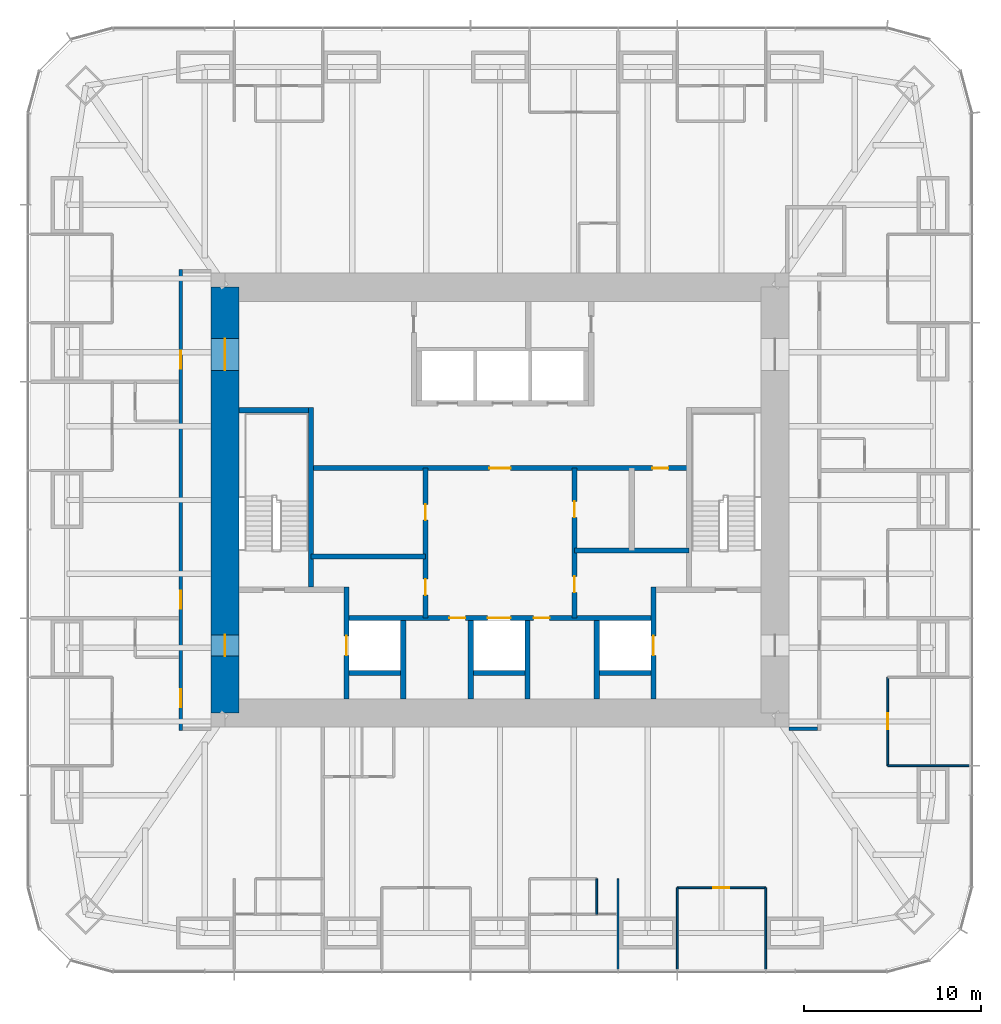
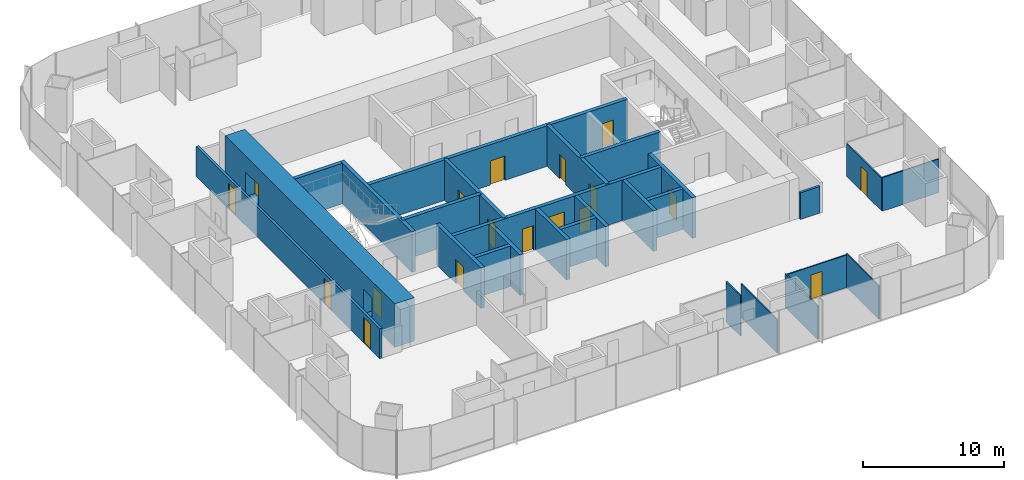
# One storey, part 9 of 12: 27 walls, 18 doors, 18 openings.
"""IFC4 building model written with IfcOpenShell, lengths in metres."""

from ifc_helpers import new_model, si_unit, direction, frame, frame_2d, origin, place, context, subcontext, project, spatial, rectangle, extrude, material, layer, layer_set, type_object, element, fill, save


model = new_model("IFC4")

# Units and contexts
model_context = context("Model", 3, precision=1e-05, world=origin(), true_north=direction((0.0, 1.0)))
body_context = subcontext(model_context, "Body", "Model", "MODEL_VIEW")
ifc_project = project(units=[si_unit("LENGTHUNIT", "METRE"), si_unit("AREAUNIT", "SQUARE_METRE"), si_unit("VOLUMEUNIT", "CUBIC_METRE"), si_unit("PLANEANGLEUNIT", "RADIAN"), si_unit("MASSUNIT", "GRAM", prefix="KILO")], contexts=[model_context])

# Site, building, storey
site_placement = place(None, origin())
site = spatial("IfcSite", under=ifc_project, at=site_placement, CompositionType="ELEMENT")
building_placement = place(site_placement, origin())
building = spatial("IfcBuilding", under=site, at=building_placement, Name="Khuree Lantern Residences", CompositionType="ELEMENT")
storey_placement = place(building_placement, frame((0.0, 0.0, 210.75)))
storey = spatial("IfcBuildingStorey", under=building, at=storey_placement, Name="L52", CompositionType="ELEMENT", Elevation=210.75)

# Wall, opening, door
ifc_material_1 = material(Name="Dense concrete blockwork", Category="masonry")
ifc_layer_1 = layer(ifc_material_1, 0.300048828125)
ifc_layer_set_1 = layer_set([ifc_layer_1], Name="CORE PARTITION WALL CPW300 EI 120")
wall_type_1 = type_object("IfcWallType", Name="CORE PARTITION WALL CPW300 EI 120", PredefinedType="PARTITIONING", material=ifc_layer_set_1)
wall_1_placement = place(storey_placement, frame((-8.64990234375, -11.199951171875, 0.0), z_axis=(0.0, 0.0, 1.0), x_axis=(0.0, 1.0, 0.0)))
wall_1 = element("IfcWall", 1, at=wall_1_placement, inside=storey, type_object=wall_type_1, Name="L52 CORE WALL FL1W", PredefinedType="PARTITIONING", context=body_context, shape_type="SweptSolid", body=[
    extrude(rectangle(XDim=6.300048828125, YDim=0.300048828125, at=frame_2d((3.14990234375, 0.0))), origin(), (0.0, 0.0, 1.0), 3.5),
])
opening_1_placement = place(wall_1_placement, frame((2.449951171875, 0.0, 0.0)))
opening_1 = element("IfcOpeningElement", 2, at=opening_1_placement, cuts=wall_1, Name="Opening 52-007", PredefinedType="OPENING", context=body_context, shape_type="SweptSolid", body=[
    extrude(rectangle(XDim=1.10009765625, YDim=2.10009765625, at=frame_2d((0.550048828125, 1.050048828125))), frame((0.0, 0.16015625, 0.0), z_axis=(0.0, -1.0, 0.0), x_axis=(1.0, 0.0, 0.0)), (0.0, 0.0, 1.0), 0.320068359375),
])
ifc_material_2 = material(Name="Stainless steel lift landing door", Category="steel")
door_type_1 = type_object("IfcDoorType", Name="LIFT LANDING DOOR 1100X2100 E 120", OperationType="DOUBLE_DOOR_SLIDING", PredefinedType="DOOR", material=ifc_material_2)
door_1_placement = place(opening_1_placement, origin())
door_1 = element("IfcDoor", 3, at=door_1_placement, inside=storey, type_object=door_type_1, Name="Landing door FL1 52-007", OperationType="DOUBLE_DOOR_SLIDING", OverallHeight=2.10009765625, OverallWidth=1.10009765625, PredefinedType="DOOR", context=body_context, shape_type="SweptSolid", body=[
    extrude(rectangle(XDim=1.10009765625, YDim=2.10009765625, at=frame_2d((0.550048828125, 1.050048828125))), frame((0.0, 0.02490234375, 0.0), z_axis=(0.0, -1.0, 0.0), x_axis=(1.0, 0.0, 0.0)), (0.0, 0.0, 1.0), 0.050048828125),
])
fill(opening_1, door_1)

wall_2_placement = place(storey_placement, frame((8.64990234375, -11.199951171875, 0.0), z_axis=(0.0, 0.0, 1.0), x_axis=(0.0, 1.0, 0.0)))
wall_2 = element("IfcWall", 4, at=wall_2_placement, inside=storey, type_object=wall_type_1, Name="L52 CORE WALL FL2E", PredefinedType="PARTITIONING", context=body_context, shape_type="SweptSolid", body=[
    extrude(rectangle(XDim=6.300048828125, YDim=0.300048828125, at=frame_2d((3.14990234375, 0.0))), origin(), (0.0, 0.0, 1.0), 3.5),
])
opening_2_placement = place(wall_2_placement, frame((2.449951171875, 0.0, 0.0)))
opening_2 = element("IfcOpeningElement", 5, at=opening_2_placement, cuts=wall_2, Name="Opening 52-008", PredefinedType="OPENING", context=body_context, shape_type="SweptSolid", body=[
    extrude(rectangle(XDim=1.10009765625, YDim=2.10009765625, at=frame_2d((0.550048828125, 1.050048828125))), frame((0.0, 0.16015625, 0.0), z_axis=(0.0, -1.0, 0.0), x_axis=(1.0, 0.0, 0.0)), (0.0, 0.0, 1.0), 0.320068359375),
])
door_2_placement = place(opening_2_placement, origin())
door_2 = element("IfcDoor", 6, at=door_2_placement, inside=storey, type_object=door_type_1, Name="Landing door FL2 52-008", OperationType="DOUBLE_DOOR_SLIDING", OverallHeight=2.10009765625, OverallWidth=1.10009765625, PredefinedType="DOOR", context=body_context, shape_type="SweptSolid", body=[
    extrude(rectangle(XDim=1.10009765625, YDim=2.10009765625, at=frame_2d((0.550048828125, 1.050048828125))), frame((0.0, 0.02490234375, 0.0), z_axis=(0.0, -1.0, 0.0), x_axis=(1.0, 0.0, 0.0)), (0.0, 0.0, 1.0), 0.050048828125),
])
fill(opening_2, door_2)

# Wall, openings, doors
wall_3_placement = place(storey_placement, frame((-8.5, -6.64990234375, 0.0), z_axis=(0.0, 0.0, 1.0), x_axis=(1.0, 0.0, 0.0)))
wall_3 = element("IfcWall", 7, at=wall_3_placement, inside=storey, type_object=wall_type_1, Name="L52 CORE WALL FLROW", PredefinedType="PARTITIONING", context=body_context, shape_type="SweptSolid", body=[
    extrude(rectangle(XDim=17.0, YDim=0.300048828125, at=frame_2d((8.5, 0.0))), origin(), (0.0, 0.0, 1.0), 3.5),
])
opening_3_placement = place(wall_3_placement, frame((7.800048828125, 0.0, 0.0)))
opening_3 = element("IfcOpeningElement", 8, at=opening_3_placement, cuts=wall_3, Name="Opening 52-012", PredefinedType="OPENING", context=body_context, shape_type="SweptSolid", body=[
    extrude(rectangle(XDim=1.300048828125, YDim=2.39990234375, at=frame_2d((0.64990234375, 1.199951171875))), frame((0.0, 0.16015625, 0.0), z_axis=(0.0, -1.0, 0.0), x_axis=(1.0, 0.0, 0.0)), (0.0, 0.0, 1.0), 0.320068359375),
])
opening_4_placement = place(wall_3_placement, frame((5.64990234375, 0.0, 0.0)))
opening_4 = element("IfcOpeningElement", 9, at=opening_4_placement, cuts=wall_3, Name="Opening 52-014", PredefinedType="OPENING", context=body_context, shape_type="SweptSolid", body=[
    extrude(rectangle(XDim=0.89990234375, YDim=2.10009765625, at=frame_2d((0.449951171875, 1.050048828125))), frame((0.0, 0.16015625, 0.0), z_axis=(0.0, -1.0, 0.0), x_axis=(1.0, 0.0, 0.0)), (0.0, 0.0, 1.0), 0.320068359375),
])
opening_5_placement = place(wall_3_placement, frame((10.39990234375, 0.0, 0.0)))
opening_5 = element("IfcOpeningElement", 10, at=opening_5_placement, cuts=wall_3, Name="Opening 52-015", PredefinedType="OPENING", context=body_context, shape_type="SweptSolid", body=[
    extrude(rectangle(XDim=0.89990234375, YDim=2.10009765625, at=frame_2d((0.449951171875, 1.050048828125))), frame((0.0, 0.16015625, 0.0), z_axis=(0.0, -1.0, 0.0), x_axis=(1.0, 0.0, 0.0)), (0.0, 0.0, 1.0), 0.320068359375),
])
ifc_material_3 = material(Name="Steel door leaf in steel frame", Category="steel")
door_type_2 = type_object("IfcDoorType", Name="DOOR 900X2100 EI 60", OperationType="SINGLE_SWING_LEFT", PredefinedType="DOOR", material=ifc_material_3)
door_3_placement = place(opening_4_placement, origin())
door_3 = element("IfcDoor", 11, at=door_3_placement, inside=storey, type_object=door_type_2, Name="Refuse chute room door 52-014", OperationType="SINGLE_SWING_LEFT", OverallHeight=2.10009765625, OverallWidth=0.89990234375, PredefinedType="DOOR", context=body_context, shape_type="SweptSolid", body=[
    extrude(rectangle(XDim=0.89990234375, YDim=2.10009765625, at=frame_2d((0.449951171875, 1.050048828125))), frame((0.0, 0.02490234375, 0.0), z_axis=(0.0, -1.0, 0.0), x_axis=(1.0, 0.0, 0.0)), (0.0, 0.0, 1.0), 0.050048828125),
])
fill(opening_4, door_3)
door_type_3 = type_object("IfcDoorType", Name="DOOR 900X2100 EI 60 RIGHT HAND", OperationType="SINGLE_SWING_RIGHT", PredefinedType="DOOR", material=ifc_material_3)
door_4_placement = place(opening_5_placement, origin())
door_4 = element("IfcDoor", 12, at=door_4_placement, inside=storey, type_object=door_type_3, Name="Electrical and plumbing riser door 52-015", OperationType="SINGLE_SWING_RIGHT", OverallHeight=2.10009765625, OverallWidth=0.89990234375, PredefinedType="DOOR", context=body_context, shape_type="SweptSolid", body=[
    extrude(rectangle(XDim=0.89990234375, YDim=2.10009765625, at=frame_2d((0.449951171875, 1.050048828125))), frame((0.0, 0.02490234375, 0.0), z_axis=(0.0, -1.0, 0.0), x_axis=(1.0, 0.0, 0.0)), (0.0, 0.0, 1.0), 0.050048828125),
])
fill(opening_5, door_4)
door_type_4 = type_object("IfcDoorType", Name="LIFT LANDING DOOR 1300X2400 E 60", OperationType="DOUBLE_DOOR_SLIDING", PredefinedType="DOOR", material=ifc_material_2)
door_5_placement = place(opening_3_placement, origin())
door_5 = element("IfcDoor", 13, at=door_5_placement, inside=storey, type_object=door_type_4, Name="Landing door SL1 52-012", OperationType="DOUBLE_DOOR_SLIDING", OverallHeight=2.39990234375, OverallWidth=1.300048828125, PredefinedType="DOOR", context=body_context, shape_type="SweptSolid", body=[
    extrude(rectangle(XDim=1.300048828125, YDim=2.39990234375, at=frame_2d((0.64990234375, 1.199951171875))), frame((0.0, 0.02490234375, 0.0), z_axis=(0.0, -1.0, 0.0), x_axis=(1.0, 0.0, 0.0)), (0.0, 0.0, 1.0), 0.050048828125),
])
fill(opening_3, door_5)

# Walls
for number, where, z_axis, x_axis, name in (
    (14, (-5.449951171875, -11.199951171875, 0.0), (0.0, 0.0, 1.0), (0.0, 1.0, 0.0), "L52 CORE WALL FL1E"),
    (15, (-1.64990234375, -11.199951171875, 0.0), (0.0, 0.0, 1.0), (0.0, 1.0, 0.0), "L52 CORE WALL SL1W"),
    (16, (1.550048828125, -11.199951171875, 0.0), (0.0, 0.0, 1.0), (0.0, 1.0, 0.0), "L52 CORE WALL SL1E"),
    (17, (5.449951171875, -11.199951171875, 0.0), (0.0, 0.0, 1.0), (0.0, 1.0, 0.0), "L52 CORE WALL FL2W"),
):
    element("IfcWall", number, at=place(storey_placement, frame(where, z_axis=z_axis, x_axis=x_axis)), inside=storey, type_object=wall_type_1, Name=name, PredefinedType="PARTITIONING", context=body_context, shape_type="SweptSolid", body=[
        extrude(rectangle(XDim=4.39990234375, YDim=0.300048828125, at=frame_2d((2.199951171875, 0.0))), origin(), (0.0, 0.0, 1.0), 3.5),
    ])
for number, where, z_axis, x_axis, name in (
    (18, (-8.5, -9.75, 0.0), (0.0, 0.0, 1.0), (1.0, 0.0, 0.0), "L52 CORE WALL FL1S"),
    (19, (-1.5, -9.75, 0.0), (0.0, 0.0, 1.0), (1.0, 0.0, 0.0), "L52 CORE WALL SL1S"),
    (20, (5.60009765625, -9.75, 0.0), (0.0, 0.0, 1.0), (1.0, 0.0, 0.0), "L52 CORE WALL FL2S"),
):
    element("IfcWall", number, at=place(storey_placement, frame(where, z_axis=z_axis, x_axis=x_axis)), inside=storey, type_object=wall_type_1, Name=name, PredefinedType="PARTITIONING", context=body_context, shape_type="SweptSolid", body=[
        extrude(rectangle(XDim=2.89990234375, YDim=0.300048828125, at=frame_2d((1.449951171875, 0.0))), origin(), (0.0, 0.0, 1.0), 3.5),
    ])

# Wall, openings, doors
wall_4_placement = place(storey_placement, frame((-10.64990234375, 1.800048828125, 0.0), z_axis=(0.0, 0.0, 1.0), x_axis=(1.0, 0.0, 0.0)))
wall_4 = element("IfcWall", 21, at=wall_4_placement, inside=storey, type_object=wall_type_1, Name="L52 CORE WALL LLS", PredefinedType="PARTITIONING", context=body_context, shape_type="SweptSolid", body=[
    extrude(rectangle(XDim=21.2998046875, YDim=0.300048828125, at=frame_2d((10.64990234375, 0.0))), origin(), (0.0, 0.0, 1.0), 3.5),
])
opening_6_placement = place(wall_4_placement, frame((10.050048828125, 0.0, 0.0)))
opening_6 = element("IfcOpeningElement", 22, at=opening_6_placement, cuts=wall_4, Name="Opening 52-013", PredefinedType="OPENING", context=body_context, shape_type="SweptSolid", body=[
    extrude(rectangle(XDim=1.199951171875, YDim=2.10009765625, at=frame_2d((0.60009765625, 1.050048828125))), frame((0.0, 0.16015625, 0.0), z_axis=(0.0, -1.0, 0.0), x_axis=(1.0, 0.0, 0.0)), (0.0, 0.0, 1.0), 0.320068359375),
])
opening_7_placement = place(wall_4_placement, frame((19.238037109375, 0.0, 0.0)))
opening_7 = element("IfcOpeningElement", 23, at=opening_7_placement, cuts=wall_4, Name="Opening 52-020", PredefinedType="OPENING", context=body_context, shape_type="SweptSolid", body=[
    extrude(rectangle(XDim=0.89990234375, YDim=2.10009765625, at=frame_2d((0.449951171875, 1.050048828125))), frame((0.0, 0.16015625, 0.0), z_axis=(0.0, -1.0, 0.0), x_axis=(1.0, 0.0, 0.0)), (0.0, 0.0, 1.0), 0.320068359375),
])
door_type_5 = type_object("IfcDoorType", Name="DOOR 1200X2100 EI 60", OperationType="SINGLE_SWING_LEFT", PredefinedType="DOOR", material=ifc_material_3)
door_6_placement = place(opening_6_placement, origin())
door_6 = element("IfcDoor", 24, at=door_6_placement, inside=storey, type_object=door_type_5, Name="Service lift lobby door 52-013", OperationType="SINGLE_SWING_LEFT", OverallHeight=2.10009765625, OverallWidth=1.199951171875, PredefinedType="DOOR", context=body_context, shape_type="SweptSolid", body=[
    extrude(rectangle(XDim=1.199951171875, YDim=2.10009765625, at=frame_2d((0.60009765625, 1.050048828125))), frame((0.0, 0.02490234375, 0.0), z_axis=(0.0, -1.0, 0.0), x_axis=(1.0, 0.0, 0.0)), (0.0, 0.0, 1.0), 0.050048828125),
])
fill(opening_6, door_6)
ifc_material_4 = material(Name="Timber door leaf in hardwood frame", Category="wood")
door_type_6 = type_object("IfcDoorType", Name="DOOR 900X2100 RIGHT HAND", OperationType="SINGLE_SWING_RIGHT", PredefinedType="DOOR", material=ifc_material_4)
door_7_placement = place(opening_7_placement, origin())
door_7 = element("IfcDoor", 25, at=door_7_placement, inside=storey, type_object=door_type_6, Name="Refuse holding room door 52-020", OperationType="SINGLE_SWING_RIGHT", OverallHeight=2.10009765625, OverallWidth=0.89990234375, PredefinedType="DOOR", context=body_context, shape_type="SweptSolid", body=[
    extrude(rectangle(XDim=0.89990234375, YDim=2.10009765625, at=frame_2d((0.449951171875, 1.050048828125))), frame((0.0, 0.02490234375, 0.0), z_axis=(0.0, -1.0, 0.0), x_axis=(1.0, 0.0, 0.0)), (0.0, 0.0, 1.0), 0.050048828125),
])
fill(opening_7, door_7)

wall_5_placement = place(storey_placement, frame((-4.199951171875, -6.64990234375, 0.0), z_axis=(0.0, 0.0, 1.0), x_axis=(0.0, 1.0, 0.0)))
wall_5 = element("IfcWall", 26, at=wall_5_placement, inside=storey, type_object=wall_type_1, Name="L52 CORE WALL SVW", PredefinedType="PARTITIONING", context=body_context, shape_type="SweptSolid", body=[
    extrude(rectangle(XDim=8.449951171875, YDim=0.300048828125, at=frame_2d((4.22509765625, 0.0))), origin(), (0.0, 0.0, 1.0), 3.5),
])
opening_8_placement = place(wall_5_placement, frame((1.284912109375, 0.0, 0.0)))
opening_8 = element("IfcOpeningElement", 27, at=opening_8_placement, cuts=wall_5, Name="Opening 52-016", PredefinedType="OPENING", context=body_context, shape_type="SweptSolid", body=[
    extrude(rectangle(XDim=0.89990234375, YDim=2.10009765625, at=frame_2d((0.449951171875, 1.050048828125))), frame((0.0, 0.16015625, 0.0), z_axis=(0.0, -1.0, 0.0), x_axis=(1.0, 0.0, 0.0)), (0.0, 0.0, 1.0), 0.320068359375),
])
opening_9_placement = place(wall_5_placement, frame((5.510009765625, 0.0, 0.0)))
opening_9 = element("IfcOpeningElement", 28, at=opening_9_placement, cuts=wall_5, Name="Opening 52-017", PredefinedType="OPENING", context=body_context, shape_type="SweptSolid", body=[
    extrude(rectangle(XDim=0.89990234375, YDim=2.10009765625, at=frame_2d((0.449951171875, 1.050048828125))), frame((0.0, 0.16015625, 0.0), z_axis=(0.0, -1.0, 0.0), x_axis=(1.0, 0.0, 0.0)), (0.0, 0.0, 1.0), 0.320068359375),
])
door_type_7 = type_object("IfcDoorType", Name="DOOR 900X2100", OperationType="SINGLE_SWING_LEFT", PredefinedType="DOOR", material=ifc_material_4)
door_8_placement = place(opening_8_placement, origin())
door_8 = element("IfcDoor", 29, at=door_8_placement, inside=storey, type_object=door_type_7, Name="Parcel room door 52-016", OperationType="SINGLE_SWING_LEFT", OverallHeight=2.10009765625, OverallWidth=0.89990234375, PredefinedType="DOOR", context=body_context, shape_type="SweptSolid", body=[
    extrude(rectangle(XDim=0.89990234375, YDim=2.10009765625, at=frame_2d((0.449951171875, 1.050048828125))), frame((0.0, 0.02490234375, 0.0), z_axis=(0.0, -1.0, 0.0), x_axis=(1.0, 0.0, 0.0)), (0.0, 0.0, 1.0), 0.050048828125),
])
fill(opening_8, door_8)
door_9_placement = place(opening_9_placement, origin())
door_9 = element("IfcDoor", 30, at=door_9_placement, inside=storey, type_object=door_type_7, Name="Residents' store door 52-017", OperationType="SINGLE_SWING_LEFT", OverallHeight=2.10009765625, OverallWidth=0.89990234375, PredefinedType="DOOR", context=body_context, shape_type="SweptSolid", body=[
    extrude(rectangle(XDim=0.89990234375, YDim=2.10009765625, at=frame_2d((0.449951171875, 1.050048828125))), frame((0.0, 0.02490234375, 0.0), z_axis=(0.0, -1.0, 0.0), x_axis=(1.0, 0.0, 0.0)), (0.0, 0.0, 1.0), 0.050048828125),
])
fill(opening_9, door_9)

wall_6_placement = place(storey_placement, frame((4.199951171875, -6.64990234375, 0.0), z_axis=(0.0, 0.0, 1.0), x_axis=(0.0, 1.0, 0.0)))
wall_6 = element("IfcWall", 31, at=wall_6_placement, inside=storey, type_object=wall_type_1, Name="L52 CORE WALL SVE", PredefinedType="PARTITIONING", context=body_context, shape_type="SweptSolid", body=[
    extrude(rectangle(XDim=8.449951171875, YDim=0.300048828125, at=frame_2d((4.22509765625, 0.0))), origin(), (0.0, 0.0, 1.0), 3.5),
])
opening_10_placement = place(wall_6_placement, frame((1.450927734375, 0.0, 0.0)))
opening_10 = element("IfcOpeningElement", 32, at=opening_10_placement, cuts=wall_6, Name="Opening 52-018", PredefinedType="OPENING", context=body_context, shape_type="SweptSolid", body=[
    extrude(rectangle(XDim=0.89990234375, YDim=2.10009765625, at=frame_2d((0.449951171875, 1.050048828125))), frame((0.0, 0.16015625, 0.0), z_axis=(0.0, -1.0, 0.0), x_axis=(1.0, 0.0, 0.0)), (0.0, 0.0, 1.0), 0.320068359375),
])
opening_11_placement = place(wall_6_placement, frame((5.676025390625, 0.0, 0.0)))
opening_11 = element("IfcOpeningElement", 33, at=opening_11_placement, cuts=wall_6, Name="Opening 52-019", PredefinedType="OPENING", context=body_context, shape_type="SweptSolid", body=[
    extrude(rectangle(XDim=0.89990234375, YDim=2.10009765625, at=frame_2d((0.449951171875, 1.050048828125))), frame((0.0, 0.16015625, 0.0), z_axis=(0.0, -1.0, 0.0), x_axis=(1.0, 0.0, 0.0)), (0.0, 0.0, 1.0), 0.320068359375),
])
door_10_placement = place(opening_10_placement, origin())
door_10 = element("IfcDoor", 34, at=door_10_placement, inside=storey, type_object=door_type_7, Name="Parcel room door 52-018", OperationType="SINGLE_SWING_LEFT", OverallHeight=2.10009765625, OverallWidth=0.89990234375, PredefinedType="DOOR", context=body_context, shape_type="SweptSolid", body=[
    extrude(rectangle(XDim=0.89990234375, YDim=2.10009765625, at=frame_2d((0.449951171875, 1.050048828125))), frame((0.0, 0.02490234375, 0.0), z_axis=(0.0, -1.0, 0.0), x_axis=(1.0, 0.0, 0.0)), (0.0, 0.0, 1.0), 0.050048828125),
])
fill(opening_10, door_10)
door_11_placement = place(opening_11_placement, origin())
door_11 = element("IfcDoor", 35, at=door_11_placement, inside=storey, type_object=door_type_6, Name="Building management room door 52-019", OperationType="SINGLE_SWING_RIGHT", OverallHeight=2.10009765625, OverallWidth=0.89990234375, PredefinedType="DOOR", context=body_context, shape_type="SweptSolid", body=[
    extrude(rectangle(XDim=0.89990234375, YDim=2.10009765625, at=frame_2d((0.449951171875, 1.050048828125))), frame((0.0, 0.02490234375, 0.0), z_axis=(0.0, -1.0, 0.0), x_axis=(1.0, 0.0, 0.0)), (0.0, 0.0, 1.0), 0.050048828125),
])
fill(opening_11, door_11)

# Walls
for number, where, z_axis, x_axis, name in (
    (36, (-10.64990234375, -3.179931640625, 0.0), (0.0, 0.0, 1.0), (1.0, 0.0, 0.0), "L52 CORE WALL WX"),
    (37, (10.64990234375, -2.847900390625, 0.0), (0.0, 0.0, 1.0), (-1.0, 0.0, 0.0), "L52 CORE WALL EX"),
):
    element("IfcWall", number, at=place(storey_placement, frame(where, z_axis=z_axis, x_axis=x_axis)), inside=storey, type_object=wall_type_1, Name=name, PredefinedType="PARTITIONING", context=body_context, shape_type="SweptSolid", body=[
        extrude(rectangle(XDim=6.449951171875, YDim=0.300048828125, at=frame_2d((3.22509765625, 0.0))), origin(), (0.0, 0.0, 1.0), 3.5),
    ])
ifc_material_5 = material(Name="Gypsum board on steel studs", Category="steel")
ifc_layer_2 = layer(ifc_material_5, 0.199951171875)
ifc_layer_set_2 = layer_set([ifc_layer_2], Name="CORRIDOR WALL CRW200 EI 60")
wall_type_2 = type_object("IfcWallType", Name="CORRIDOR WALL CRW200 EI 60", PredefinedType="PARTITIONING", material=ifc_layer_set_2)
wall_7_placement = place(storey_placement, frame((16.300048828125, -12.89990234375, 0.0), z_axis=(0.0, 0.0, 1.0), x_axis=(1.0, 0.0, 0.0)))
element("IfcWall", 38, at=wall_7_placement, inside=storey, type_object=wall_type_2, Name="L52 EAST CORRIDOR SOUTH END WALL", PredefinedType="PARTITIONING", context=body_context, shape_type="SweptSolid", body=[
    extrude(rectangle(XDim=1.599853515625, YDim=0.199951171875, at=frame_2d((0.7998046875, 0.0))), origin(), (0.0, 0.0, 1.0), 2.300048828125),
])

# Wall, openings, doors
wall_8_placement = place(storey_placement, frame((-18.0, 13.0, 0.0), z_axis=(0.0, 0.0, 1.0), x_axis=(0.0, -1.0, 0.0)))
wall_8 = element("IfcWall", 39, at=wall_8_placement, inside=storey, type_object=wall_type_2, Name="L52 CORRIDOR WALL WEST 1", PredefinedType="PARTITIONING", context=body_context, shape_type="SweptSolid", body=[
    extrude(rectangle(XDim=26.0, YDim=0.199951171875, at=frame_2d((13.0, 0.0))), origin(), (0.0, 0.0, 1.0), 2.60009765625),
])
opening_12_placement = place(wall_8_placement, frame((4.60009765625, 0.0, 0.0)))
opening_12 = element("IfcOpeningElement", 40, at=opening_12_placement, cuts=wall_8, Name="Opening 52-036", PredefinedType="OPENING", context=body_context, shape_type="SweptSolid", body=[
    extrude(rectangle(XDim=1.0, YDim=2.199951171875, at=frame_2d((0.5, 1.10009765625))), frame((0.0, 0.10986328125, 0.0), z_axis=(0.0, -1.0, 0.0), x_axis=(1.0, 0.0, 0.0)), (0.0, 0.0, 1.0), 0.219970703125),
])
opening_13_placement = place(wall_8_placement, frame((18.114013671875, 0.0, 0.0)))
opening_13 = element("IfcOpeningElement", 41, at=opening_13_placement, cuts=wall_8, Name="Opening 52-039", PredefinedType="OPENING", context=body_context, shape_type="SweptSolid", body=[
    extrude(rectangle(XDim=1.0, YDim=2.199951171875, at=frame_2d((0.5, 1.10009765625))), frame((0.0, 0.10986328125, 0.0), z_axis=(0.0, -1.0, 0.0), x_axis=(1.0, 0.0, 0.0)), (0.0, 0.0, 1.0), 0.219970703125),
])
opening_14_placement = place(wall_8_placement, frame((23.676025390625, 0.0, 0.0)))
opening_14 = element("IfcOpeningElement", 42, at=opening_14_placement, cuts=wall_8, Name="Opening 52-044", PredefinedType="OPENING", context=body_context, shape_type="SweptSolid", body=[
    extrude(rectangle(XDim=1.0, YDim=2.199951171875, at=frame_2d((0.5, 1.10009765625))), frame((0.0, 0.10986328125, 0.0), z_axis=(0.0, -1.0, 0.0), x_axis=(1.0, 0.0, 0.0)), (0.0, 0.0, 1.0), 0.219970703125),
])
door_type_8 = type_object("IfcDoorType", Name="APARTMENT ENTRANCE DOOR 1000X2200 EI 30S", OperationType="SINGLE_SWING_LEFT", PredefinedType="DOOR", material=ifc_material_4)
door_12_placement = place(opening_12_placement, origin())
door_12 = element("IfcDoor", 43, at=door_12_placement, inside=storey, type_object=door_type_8, Name="Apartment 03 entrance door 52-036", OperationType="SINGLE_SWING_LEFT", OverallHeight=2.199951171875, OverallWidth=1.0, PredefinedType="DOOR", context=body_context, shape_type="SweptSolid", body=[
    extrude(rectangle(XDim=1.0, YDim=2.199951171875, at=frame_2d((0.5, 1.10009765625))), frame((0.0, 0.02490234375, 0.0), z_axis=(0.0, -1.0, 0.0), x_axis=(1.0, 0.0, 0.0)), (0.0, 0.0, 1.0), 0.050048828125),
])
fill(opening_12, door_12)
door_13_placement = place(opening_13_placement, origin())
door_13 = element("IfcDoor", 44, at=door_13_placement, inside=storey, type_object=door_type_8, Name="Apartment 04 entrance door 52-039", OperationType="SINGLE_SWING_LEFT", OverallHeight=2.199951171875, OverallWidth=1.0, PredefinedType="DOOR", context=body_context, shape_type="SweptSolid", body=[
    extrude(rectangle(XDim=1.0, YDim=2.199951171875, at=frame_2d((0.5, 1.10009765625))), frame((0.0, 0.02490234375, 0.0), z_axis=(0.0, -1.0, 0.0), x_axis=(1.0, 0.0, 0.0)), (0.0, 0.0, 1.0), 0.050048828125),
])
fill(opening_13, door_13)
door_type_9 = type_object("IfcDoorType", Name="APARTMENT ENTRANCE DOOR 1000X2200 EI 30S RIGHT HAND", OperationType="SINGLE_SWING_RIGHT", PredefinedType="DOOR", material=ifc_material_4)
door_14_placement = place(opening_14_placement, origin())
door_14 = element("IfcDoor", 45, at=door_14_placement, inside=storey, type_object=door_type_9, Name="Apartment 05 entrance door 52-044", OperationType="SINGLE_SWING_RIGHT", OverallHeight=2.199951171875, OverallWidth=1.0, PredefinedType="DOOR", context=body_context, shape_type="SweptSolid", body=[
    extrude(rectangle(XDim=1.0, YDim=2.199951171875, at=frame_2d((0.5, 1.10009765625))), frame((0.0, 0.02490234375, 0.0), z_axis=(0.0, -1.0, 0.0), x_axis=(1.0, 0.0, 0.0)), (0.0, 0.0, 1.0), 0.050048828125),
])
fill(opening_14, door_14)

ifc_material_6 = material(Name="Concrete C50/60", Category="concrete")
ifc_layer_3 = layer(ifc_material_6, 1.60009765625)
ifc_layer_set_3 = layer_set([ifc_layer_3], Name="CW1600-C50 CORE WALL C50 1600")
wall_type_3 = type_object("IfcWallType", Name="CW1600-C50 CORE WALL C50 1600", PredefinedType="SHEAR", material=ifc_layer_set_3)
wall_9_placement = place(storey_placement, frame((-15.5, -12.0, -0.25), z_axis=(0.0, 0.0, 1.0), x_axis=(0.0, 1.0, 0.0)))
wall_9 = element("IfcWall", 46, at=wall_9_placement, inside=storey, type_object=wall_type_3, Name="Core wall W", PredefinedType="SHEAR", context=body_context, shape_type="SweptSolid", body=[
    extrude(rectangle(XDim=24.0, YDim=1.60009765625, at=frame_2d((12.0, 0.0))), origin(), (0.0, 0.0, 1.0), 3.75),
])
opening_15_placement = place(wall_9_placement, frame((3.199951171875, 0.0, 0.25)))
opening_15 = element("IfcOpeningElement", 47, at=opening_15_placement, cuts=wall_9, Name="Opening 52-002", PredefinedType="OPENING", context=body_context, shape_type="SweptSolid", body=[
    extrude(rectangle(XDim=1.199951171875, YDim=2.10009765625, at=frame_2d((0.60009765625, 1.050048828125))), frame((0.0, 0.81005859375, 0.0), z_axis=(0.0, -1.0, 0.0), x_axis=(1.0, 0.0, 0.0)), (0.0, 0.0, 1.0), 1.6201171875),
])
opening_16_placement = place(wall_9_placement, frame((19.300048828125, 0.0, 0.25)))
opening_16 = element("IfcOpeningElement", 48, at=opening_16_placement, cuts=wall_9, Name="Opening 52-003", PredefinedType="OPENING", context=body_context, shape_type="SweptSolid", body=[
    extrude(rectangle(XDim=1.800048828125, YDim=2.10009765625, at=frame_2d((0.89990234375, 1.050048828125))), frame((0.0, 0.81005859375, 0.0), z_axis=(0.0, -1.0, 0.0), x_axis=(1.0, 0.0, 0.0)), (0.0, 0.0, 1.0), 1.6201171875),
])
door_type_10 = type_object("IfcDoorType", Name="LOBBY DOOR 1200X2100 EI 120", OperationType="SINGLE_SWING_LEFT", PredefinedType="DOOR", material=ifc_material_3)
door_15_placement = place(opening_15_placement, origin())
door_15 = element("IfcDoor", 49, at=door_15_placement, inside=storey, type_object=door_type_10, Name="Firefighting lobby door 52-002", OperationType="SINGLE_SWING_LEFT", OverallHeight=2.10009765625, OverallWidth=1.199951171875, PredefinedType="DOOR", context=body_context, shape_type="SweptSolid", body=[
    extrude(rectangle(XDim=1.199951171875, YDim=2.10009765625, at=frame_2d((0.60009765625, 1.050048828125))), frame((0.0, 0.02490234375, 0.0), z_axis=(0.0, -1.0, 0.0), x_axis=(1.0, 0.0, 0.0)), (0.0, 0.0, 1.0), 0.050048828125),
])
fill(opening_15, door_15)
door_type_11 = type_object("IfcDoorType", Name="LOBBY DOUBLE DOOR 1800X2100 EI 60", OperationType="DOUBLE_DOOR_SINGLE_SWING", PredefinedType="DOOR", material=ifc_material_3)
door_16_placement = place(opening_16_placement, origin())
door_16 = element("IfcDoor", 50, at=door_16_placement, inside=storey, type_object=door_type_11, Name="Lift lobby door 52-003", OperationType="DOUBLE_DOOR_SINGLE_SWING", OverallHeight=2.10009765625, OverallWidth=1.800048828125, PredefinedType="DOOR", context=body_context, shape_type="SweptSolid", body=[
    extrude(rectangle(XDim=1.800048828125, YDim=2.10009765625, at=frame_2d((0.89990234375, 1.050048828125))), frame((0.0, 0.02490234375, 0.0), z_axis=(0.0, -1.0, 0.0), x_axis=(1.0, 0.0, 0.0)), (0.0, 0.0, 1.0), 0.050048828125),
])
fill(opening_16, door_16)

# Walls
ifc_layer_4 = layer(ifc_material_5, 0.10009765625)
ifc_layer_set_4 = layer_set([ifc_layer_4], Name="PARTITION PT100")
wall_type_4 = type_object("IfcWallType", Name="PARTITION PT100", PredefinedType="PARTITIONING", material=ifc_layer_set_4)
wall_10_placement = place(storey_placement, frame((6.656005859375, -21.344970703125, 0.0), z_axis=(0.0, 0.0, 1.0), x_axis=(0.0, -1.0, 0.0)))
element("IfcWall", 51, at=wall_10_placement, inside=storey, type_object=wall_type_4, Name="L52 PARTITION 06", PredefinedType="PARTITIONING", context=body_context, shape_type="SweptSolid", body=[
    extrude(rectangle(XDim=5.10498046875, YDim=0.10009765625, at=frame_2d((2.552490234375, 0.0))), origin(), (0.0, 0.0, 1.0), 2.909912109375),
])
for number, where, z_axis, x_axis, name in (
    (52, (9.98388671875, -21.85009765625, 0.0), (0.0, 0.0, 1.0), (0.0, -1.0, 0.0), "L52 PARTITION 06"),
    (53, (14.97607421875, -21.85009765625, 0.0), (0.0, 0.0, 1.0), (0.0, -1.0, 0.0), "L52 PARTITION 06"),
    (54, (21.85009765625, -14.97607421875, 0.0), (0.0, 0.0, 1.0), (1.0, 0.0, 0.0), "L52 PARTITION 06"),
):
    element("IfcWall", number, at=place(storey_placement, frame(where, z_axis=z_axis, x_axis=x_axis)), inside=storey, type_object=wall_type_4, Name=name, PredefinedType="PARTITIONING", context=body_context, shape_type="SweptSolid", body=[
        extrude(rectangle(XDim=4.599853515625, YDim=0.10009765625, at=frame_2d((2.2998046875, 0.0))), origin(), (0.0, 0.0, 1.0), 2.909912109375),
    ])
wall_11_placement = place(storey_placement, frame((5.4560546875, -21.344970703125, 0.0), z_axis=(0.0, 0.0, 1.0), x_axis=(0.0, -1.0, 0.0)))
element("IfcWall", 55, at=wall_11_placement, inside=storey, type_object=wall_type_4, Name="L52 PARTITION 06", PredefinedType="PARTITIONING", context=body_context, shape_type="SweptSolid", body=[
    extrude(rectangle(XDim=2.0, YDim=0.10009765625, at=frame_2d((1.0, 0.0))), origin(), (0.0, 0.0, 1.0), 3.5),
])

# Wall, opening, door
wall_12_placement = place(storey_placement, frame((9.98388671875, -21.85009765625, 0.0), z_axis=(0.0, 0.0, 1.0), x_axis=(1.0, 0.0, 0.0)))
wall_12 = element("IfcWall", 56, at=wall_12_placement, inside=storey, type_object=wall_type_4, Name="L52 PARTITION 06", PredefinedType="PARTITIONING", context=body_context, shape_type="SweptSolid", body=[
    extrude(rectangle(XDim=4.9921875, YDim=0.10009765625, at=frame_2d((2.49609375, 0.0))), origin(), (0.0, 0.0, 1.0), 2.81005859375),
])
opening_17_placement = place(wall_12_placement, frame((2.0458984375, 0.0, 0.0)))
opening_17 = element("IfcOpeningElement", 57, at=opening_17_placement, cuts=wall_12, Name="Opening 52-048", PredefinedType="OPENING", context=body_context, shape_type="SweptSolid", body=[
    extrude(rectangle(XDim=0.89990234375, YDim=2.10009765625, at=frame_2d((0.449951171875, 1.050048828125))), frame((0.0, 0.06005859375, 0.0), z_axis=(0.0, -1.0, 0.0), x_axis=(1.0, 0.0, 0.0)), (0.0, 0.0, 1.0), 0.1201171875),
])
door_type_12 = type_object("IfcDoorType", Name="BEDROOM DOOR 900X2100", OperationType="SINGLE_SWING_LEFT", PredefinedType="DOOR", material=ifc_material_4)
door_17_placement = place(opening_17_placement, origin())
door_17 = element("IfcDoor", 58, at=door_17_placement, inside=storey, type_object=door_type_12, Name="Bedroom door 52-048", OperationType="SINGLE_SWING_LEFT", OverallHeight=2.10009765625, OverallWidth=0.89990234375, PredefinedType="DOOR", context=body_context, shape_type="SweptSolid", body=[
    extrude(rectangle(XDim=0.89990234375, YDim=2.10009765625, at=frame_2d((0.449951171875, 1.050048828125))), frame((0.0, 0.02490234375, 0.0), z_axis=(0.0, -1.0, 0.0), x_axis=(1.0, 0.0, 0.0)), (0.0, 0.0, 1.0), 0.050048828125),
])
fill(opening_17, door_17)

wall_13_placement = place(storey_placement, frame((21.85009765625, -14.97607421875, 0.0), z_axis=(0.0, 0.0, 1.0), x_axis=(0.0, 1.0, 0.0)))
wall_13 = element("IfcWall", 59, at=wall_13_placement, inside=storey, type_object=wall_type_4, Name="L52 PARTITION 06", PredefinedType="PARTITIONING", context=body_context, shape_type="SweptSolid", body=[
    extrude(rectangle(XDim=4.9921875, YDim=0.10009765625, at=frame_2d((2.49609375, 0.0))), origin(), (0.0, 0.0, 1.0), 2.81005859375),
])
opening_18_placement = place(wall_13_placement, frame((2.0458984375, 0.0, 0.0)))
opening_18 = element("IfcOpeningElement", 60, at=opening_18_placement, cuts=wall_13, Name="Opening 52-049", PredefinedType="OPENING", context=body_context, shape_type="SweptSolid", body=[
    extrude(rectangle(XDim=0.89990234375, YDim=2.10009765625, at=frame_2d((0.449951171875, 1.050048828125))), frame((0.0, 0.06005859375, 0.0), z_axis=(0.0, -1.0, 0.0), x_axis=(1.0, 0.0, 0.0)), (0.0, 0.0, 1.0), 0.1201171875),
])
door_18_placement = place(opening_18_placement, origin())
door_18 = element("IfcDoor", 61, at=door_18_placement, inside=storey, type_object=door_type_12, Name="Bedroom door 52-049", OperationType="SINGLE_SWING_LEFT", OverallHeight=2.10009765625, OverallWidth=0.89990234375, PredefinedType="DOOR", context=body_context, shape_type="SweptSolid", body=[
    extrude(rectangle(XDim=0.89990234375, YDim=2.10009765625, at=frame_2d((0.449951171875, 1.050048828125))), frame((0.0, 0.02490234375, 0.0), z_axis=(0.0, -1.0, 0.0), x_axis=(1.0, 0.0, 0.0)), (0.0, 0.0, 1.0), 0.050048828125),
])
fill(opening_18, door_18)

# Walls
ifc_layer_5 = layer(ifc_material_6, 0.300048828125)
ifc_layer_set_5 = layer_set([ifc_layer_5], Name="STAIR WALL SRW300 C50/60 REI 240")
wall_type_5 = type_object("IfcWallType", Name="STAIR WALL SRW300 C50/60 REI 240", PredefinedType="SOLIDWALL", material=ifc_layer_set_5)
wall_14_placement = place(storey_placement, frame((-10.64990234375, -4.89990234375, 0.0), z_axis=(0.0, 0.0, 1.0), x_axis=(0.0, 1.0, 0.0)))
element("IfcWall", 62, at=wall_14_placement, inside=storey, type_object=wall_type_5, Name="L52 STAIR WALL ST1E", PredefinedType="SOLIDWALL", context=body_context, shape_type="SweptSolid", body=[
    extrude(rectangle(XDim=10.099853515625, YDim=0.300048828125, at=frame_2d((5.0498046875, 0.0))), origin(), (0.0, 0.0, 1.0), 3.5),
])
wall_15_placement = place(storey_placement, frame((-14.699951171875, 5.050048828125, 0.0), z_axis=(0.0, 0.0, 1.0), x_axis=(1.0, 0.0, 0.0)))
element("IfcWall", 63, at=wall_15_placement, inside=storey, type_object=wall_type_5, Name="L52 STAIR WALL ST1N", PredefinedType="SOLIDWALL", context=body_context, shape_type="SweptSolid", body=[
    extrude(rectangle(XDim=3.89990234375, YDim=0.300048828125, at=frame_2d((1.949951171875, 0.0))), origin(), (0.0, 0.0, 1.0), 3.5),
])

save(model, "model.ifc")
